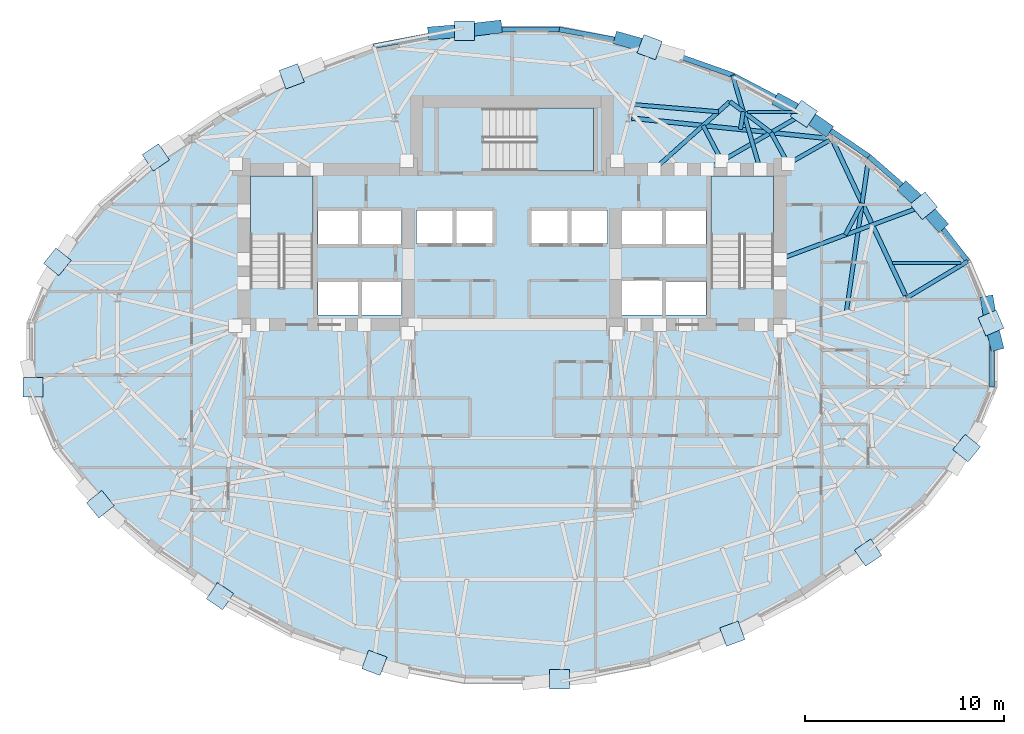
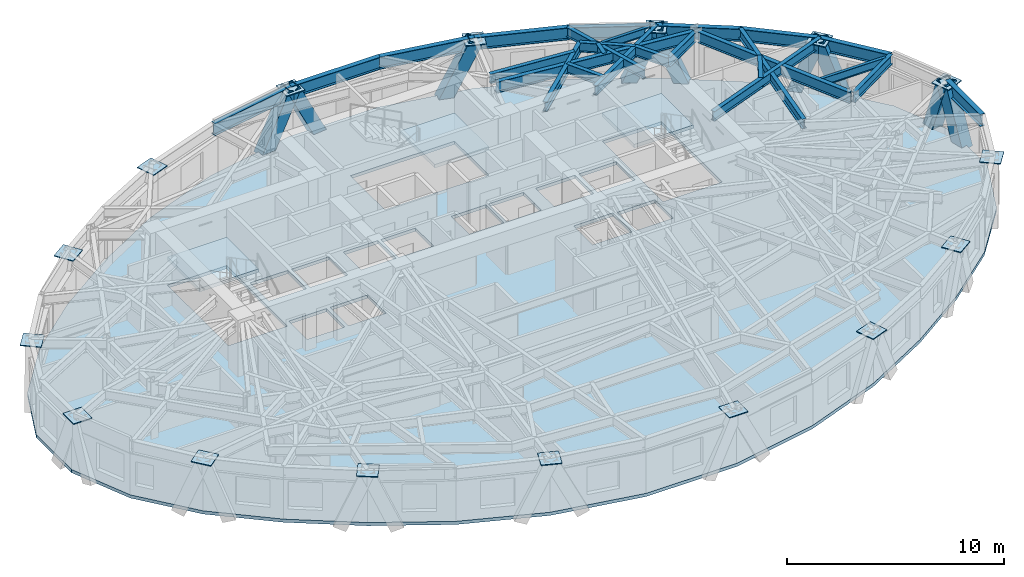
# One storey, part 4 of 14: 26 beams, 16 plates, 9 members, 4 slabs, 3 elements without a shape of their own.
"""IFC4 building model written with IfcOpenShell, lengths in metres."""

from ifc_helpers import new_model, si_unit, direction, frame, origin, origin_2d, place, context, subcontext, project, spatial, polyline, rectangle, hollow_rectangle, i_section, outline, extrude, material, layer, layer_set, material_profile, profile_set, type_object, element, aggregate, save


model = new_model("IFC4")

# Units and contexts
model_context = context("Model", 3, precision=1e-05, world=origin(), true_north=direction((0.0, 1.0)))
body_context = subcontext(model_context, "Body", "Model", "MODEL_VIEW")
ifc_project = project(units=[si_unit("LENGTHUNIT", "METRE"), si_unit("AREAUNIT", "SQUARE_METRE"), si_unit("VOLUMEUNIT", "CUBIC_METRE"), si_unit("PLANEANGLEUNIT", "RADIAN"), si_unit("MASSUNIT", "GRAM", prefix="KILO")], contexts=[model_context])

# Site, building, storey
site_placement = place(None, origin())
site = spatial("IfcSite", under=ifc_project, at=site_placement, CompositionType="ELEMENT")
building_placement = place(site_placement, origin())
building = spatial("IfcBuilding", under=site, at=building_placement, Name="Keldmark Tower", CompositionType="ELEMENT")
storey_placement = place(building_placement, frame((0.0, 0.0, 191.800048828125)))
storey = spatial("IfcBuildingStorey", under=building, at=storey_placement, Name="L53", CompositionType="ELEMENT", Elevation=191.800048828125)

# Beams
ifc_material_1 = material(Name="Steel ASTM A992 Grade 50", Category="steel")
ifc_material_profile_1 = material_profile(ifc_material_1, i_section(OverallWidth=0.153076171875, OverallDepth=0.455078125, WebThickness=0.008056640625, FlangeThickness=0.01318359375, at=origin_2d()), Name="W18X40")
ifc_profile_set_1 = profile_set([ifc_material_profile_1], Name="Steel ASTM A992 Grade 50")
beam_type_1 = type_object("IfcBeamType", Name="Composite Floor Joist W18X40", PredefinedType="JOIST", material=ifc_profile_set_1)
beam_1_placement = place(storey_placement, frame((19.12451171875, 4.6201171875, 2.79248046875), z_axis=(1.0, 0.0, 0.0), x_axis=(0.0, 1.0, 0.0)))
element("IfcBeam", 1, at=beam_1_placement, inside=storey, type_object=beam_type_1, Name="L53 Composite Floor Joist J05", PredefinedType="JOIST", context=body_context, shape_type="SweptSolid", body=[
    extrude(i_section(OverallWidth=0.153076171875, OverallDepth=0.455078125, WebThickness=0.008056640625, FlangeThickness=0.01318359375, at=origin_2d()), origin(), (0.0, 0.0, 1.0), 3.4326171875),
])
beam_2_placement = place(storey_placement, frame((11.822265625, 12.199951171875, 2.79248046875), z_axis=(1.0, 0.0, 0.0), x_axis=(0.0, 1.0, 0.0)))
element("IfcBeam", 2, at=beam_2_placement, inside=storey, type_object=beam_type_1, Name="L53 Composite Floor Joist J06", PredefinedType="JOIST", context=body_context, shape_type="SweptSolid", body=[
    extrude(i_section(OverallWidth=0.153076171875, OverallDepth=0.455078125, WebThickness=0.008056640625, FlangeThickness=0.01318359375, at=origin_2d()), origin(), (0.0, 0.0, 1.0), 2.556396484375),
])

# Members
ifc_material_2 = material(Name="Steel ASTM A572 Grade 50", Category="steel")
ifc_material_profile_2 = material_profile(ifc_material_2, hollow_rectangle(XDim=0.64990234375, YDim=0.64990234375, WallThickness=0.0400390625, at=origin_2d()), Name="BOX650X650X40")
ifc_profile_set_2 = profile_set([ifc_material_profile_2], Name="Steel ASTM A572 Grade 50")
member_type = type_object("IfcMemberType", Name="Diagrid Zone 3 Brace BOX650X650X40", PredefinedType="BRACE", material=ifc_profile_set_2)
member_1_placement = place(storey_placement, frame((23.89208984375, 2.661376953125, -0.260009765625), z_axis=(0.053051141963, -0.316550676045, 0.947090938523), x_axis=(0.986245645228, 0.165286198056, 0.0)))
element("IfcMember", 3, at=member_1_placement, inside=storey, type_object=member_type, Name="L53 Perimeter Diagrid Brace 01A", PredefinedType="BRACE", context=body_context, shape_type="SweptSolid", body=[
    extrude(hollow_rectangle(XDim=0.64990234375, YDim=0.64990234375, WallThickness=0.0400390625, at=origin_2d()), origin(), (0.0, 0.0, 1.0), 3.33642578125),
])
member_2_placement = place(storey_placement, frame((21.50048828125, 6.589599609375, -0.260009765625), z_axis=(-0.240557244368, 0.268518961209, 0.932753868742), x_axis=(-0.744822917128, -0.667262183943, 0.0)))
element("IfcMember", 4, at=member_2_placement, inside=storey, type_object=member_type, Name="L53 Perimeter Diagrid Brace 01B", PredefinedType="BRACE", context=body_context, shape_type="SweptSolid", body=[
    extrude(hollow_rectangle(XDim=0.64990234375, YDim=0.64990234375, WallThickness=0.0400390625, at=origin_2d()), origin(), (0.0, 0.0, 1.0), 3.3876953125),
])
member_3_placement = place(storey_placement, frame((19.789306640625, 8.32080078125, -0.260009765625), z_axis=(0.265706617393, -0.245611158935, 0.932242002959), x_axis=(0.678792531533, 0.734330102294, 0.0)))
element("IfcMember", 5, at=member_3_placement, inside=storey, type_object=member_type, Name="L53 Perimeter Diagrid Brace 02A", PredefinedType="BRACE", context=body_context, shape_type="SweptSolid", body=[
    extrude(hollow_rectangle(XDim=0.64990234375, YDim=0.64990234375, WallThickness=0.0400390625, at=origin_2d()), origin(), (0.0, 0.0, 1.0), 3.3896484375),
])
member_4_placement = place(storey_placement, frame((15.731689453125, 11.384765625, -0.260009765625), z_axis=(-0.310368763218, 0.215734544795, 0.925813068065), x_axis=(-0.570753945784, -0.821121144151, 0.0)))
element("IfcMember", 6, at=member_4_placement, inside=storey, type_object=member_type, Name="L53 Perimeter Diagrid Brace 02B", PredefinedType="BRACE", context=body_context, shape_type="SweptSolid", body=[
    extrude(hollow_rectangle(XDim=0.64990234375, YDim=0.64990234375, WallThickness=0.0400390625, at=origin_2d()), origin(), (0.0, 0.0, 1.0), 3.4130859375),
])
member_5_placement = place(storey_placement, frame((13.472900390625, 12.754150390625, -0.260009765625), z_axis=(0.350775920859, -0.186272153648, 0.917746663367), x_axis=(0.4690029299, 0.883196609903, 0.0)))
element("IfcMember", 7, at=member_5_placement, inside=storey, type_object=member_type, Name="L53 Perimeter Diagrid Brace 03A", PredefinedType="BRACE", context=body_context, shape_type="SweptSolid", body=[
    extrude(hollow_rectangle(XDim=0.64990234375, YDim=0.64990234375, WallThickness=0.0400390625, at=origin_2d()), origin(), (0.0, 0.0, 1.0), 3.443115234375),
])
member_6_placement = place(storey_placement, frame((5.448486328125, 15.881103515625, -0.260009765625), z_axis=(0.421112234507, -0.118253262355, 0.899266730115), x_axis=(0.270354550986, 0.962760830508, 0.0)))
element("IfcMember", 8, at=member_6_placement, inside=storey, type_object=member_type, Name="L53 Perimeter Diagrid Brace 04A", PredefinedType="BRACE", context=body_context, shape_type="SweptSolid", body=[
    extrude(hollow_rectangle(XDim=0.64990234375, YDim=0.64990234375, WallThickness=0.0400390625, at=origin_2d()), origin(), (0.0, 0.0, 1.0), 3.513916015625),
])
member_7_placement = place(storey_placement, frame((-0.806884765625, 16.477783203125, -0.260009765625), z_axis=(-0.445616427688, -0.050686883298, 0.893787916251), x_axis=(0.113016785958, -0.993593078726, 0.0)))
element("IfcMember", 9, at=member_7_placement, inside=storey, type_object=member_type, Name="L53 Perimeter Diagrid Brace 04B", PredefinedType="BRACE", context=body_context, shape_type="SweptSolid", body=[
    extrude(hollow_rectangle(XDim=0.64990234375, YDim=0.64990234375, WallThickness=0.0400390625, at=origin_2d()), origin(), (0.0, 0.0, 1.0), 3.535400390625),
])
member_8_placement = place(storey_placement, frame((-3.928466796875, 16.17822265625, -0.260009765625), z_axis=(0.44193156866, 0.034143905869, 0.896398729536), x_axis=(-0.077031052533, 0.997028694144, 0.0)))
element("IfcMember", 10, at=member_8_placement, inside=storey, type_object=member_type, Name="L53 Perimeter Diagrid Brace 05A", PredefinedType="BRACE", context=body_context, shape_type="SweptSolid", body=[
    extrude(hollow_rectangle(XDim=0.64990234375, YDim=0.64990234375, WallThickness=0.0400390625, at=origin_2d()), origin(), (0.0, 0.0, 1.0), 3.525146484375),
])
member_9_placement = place(storey_placement, frame((24.333984375, 0.548828125, -0.260009765625), z_axis=(-0.079163798339, 0.319281826298, 0.944347504062), x_axis=(-0.970610381565, -0.240656367458, 0.0)))
element("IfcMember", 11, at=member_9_placement, inside=storey, type_object=member_type, Name="L53 Perimeter Diagrid Brace 16B", PredefinedType="BRACE", context=body_context, shape_type="SweptSolid", body=[
    extrude(hollow_rectangle(XDim=0.64990234375, YDim=0.64990234375, WallThickness=0.0400390625, at=origin_2d()), origin(), (0.0, 0.0, 1.0), 3.34619140625),
])

# Beams
ifc_material_3 = material(Name="Steel ASTM A992 Grade 50", Category="steel")
ifc_material_profile_3 = material_profile(ifc_material_3, i_section(OverallWidth=0.22900390625, OverallDepth=0.612060546875, WebThickness=0.011962890625, FlangeThickness=0.01953125, at=origin_2d()), Name="W24X84")
ifc_profile_set_3 = profile_set([ifc_material_profile_3], Name="Steel ASTM A992 Grade 50")
beam_type_2 = type_object("IfcBeamType", Name="Primary Floor Girder W24X84", PredefinedType="BEAM", material=ifc_profile_set_3)
beam_3_placement = place(storey_placement, frame((19.76904296875, 2.99609375, 2.7138671875), z_axis=(-0.424526823774, 0.905415360979, 0.0), x_axis=(-0.905415360979, -0.424526823774, 0.0)))
element("IfcBeam", 12, at=beam_3_placement, inside=storey, type_object=beam_type_2, Name="L53 Floor Ring Girder FG-R01", PredefinedType="BEAM", context=body_context, shape_type="SweptSolid", body=[
    extrude(i_section(OverallWidth=0.22900390625, OverallDepth=0.612060546875, WebThickness=0.011962890625, FlangeThickness=0.01953125, at=origin_2d()), origin(), (0.0, 0.0, 1.0), 8.54638671875),
])
beam_4_placement = place(storey_placement, frame((15.942138671875, 10.87548828125, 2.7138671875), z_axis=(-0.994702930931, 0.102791435423, 0.0), x_axis=(-0.102791435423, -0.994702930931, 0.0)))
element("IfcBeam", 13, at=beam_4_placement, inside=storey, type_object=beam_type_2, Name="L53 Floor Ring Girder FG-R02", PredefinedType="BEAM", context=body_context, shape_type="SweptSolid", body=[
    extrude(i_section(OverallWidth=0.22900390625, OverallDepth=0.612060546875, WebThickness=0.011962890625, FlangeThickness=0.01953125, at=origin_2d()), origin(), (0.0, 0.0, 1.0), 9.975341796875),
])
ifc_material_4 = material(Name="Steel ASTM A992 Grade 50", Category="steel")
ifc_material_profile_4 = material_profile(ifc_material_4, i_section(OverallWidth=0.2099609375, OverallDepth=0.537109375, WebThickness=0.010986328125, FlangeThickness=0.017333984375, at=origin_2d()), Name="W21X68")
ifc_profile_set_4 = profile_set([ifc_material_profile_4], Name="Steel ASTM A992 Grade 50")
beam_type_3 = type_object("IfcBeamType", Name="Radial Tie Girder W21X68", PredefinedType="BEAM", material=ifc_profile_set_4)
beam_5_placement = place(storey_placement, frame((15.959716796875, 10.791748046875, 2.75146484375), z_axis=(-0.86929527307, -0.494293160197, 0.0), x_axis=(0.494293160197, -0.86929527307, 0.0)))
element("IfcBeam", 14, at=beam_5_placement, inside=storey, type_object=beam_type_3, Name="L53 Floor Radial Girder FG-C02", PredefinedType="BEAM", context=body_context, shape_type="SweptSolid", body=[
    extrude(i_section(OverallWidth=0.2099609375, OverallDepth=0.537109375, WebThickness=0.010986328125, FlangeThickness=0.017333984375, at=origin_2d()), origin(), (0.0, 0.0, 1.0), 2.39453125),
])
beam_6_placement = place(storey_placement, frame((19.828369140625, 2.869140625, 2.75146484375), z_axis=(0.857649450722, 0.514234790418, 0.0), x_axis=(-0.514234790418, 0.857649450722, 0.0)))
element("IfcBeam", 15, at=beam_6_placement, inside=storey, type_object=beam_type_3, Name="L53 Perimeter Column Bracket RT-02", PredefinedType="BEAM", context=body_context, shape_type="SweptSolid", body=[
    extrude(i_section(OverallWidth=0.2099609375, OverallDepth=0.537109375, WebThickness=0.010986328125, FlangeThickness=0.017333984375, at=origin_2d()), origin(), (0.0, 0.0, 1.0), 3.577392578125),
])
beam_7_placement = place(storey_placement, frame((13.47509765625, 4.8212890625, 2.75146484375), z_axis=(0.937600504233, 0.347714386332, 0.0), x_axis=(-0.347714386332, 0.937600504233, 0.0)))
element("IfcBeam", 16, at=beam_7_placement, inside=storey, type_object=beam_type_3, Name="L53 Perimeter Radial Tie Girder RT-03", PredefinedType="BEAM", context=body_context, shape_type="SweptSolid", body=[
    extrude(i_section(OverallWidth=0.2099609375, OverallDepth=0.537109375, WebThickness=0.010986328125, FlangeThickness=0.017333984375, at=origin_2d()), origin(), (0.0, 0.0, 1.0), 7.75146484375),
])
beam_8_placement = place(storey_placement, frame((16.74560546875, 6.0341796875, 2.75146484375), z_axis=(0.469355724758, 0.883009175285, 0.0), x_axis=(-0.883009175285, 0.469355724758, 0.0)))
element("IfcBeam", 17, at=beam_8_placement, inside=storey, type_object=beam_type_3, Name="L53 Framing Pin Header PH-013", PredefinedType="BEAM", context=body_context, shape_type="SweptSolid", body=[
    extrude(i_section(OverallWidth=0.2099609375, OverallDepth=0.537109375, WebThickness=0.010986328125, FlangeThickness=0.017333984375, at=origin_2d()), origin(), (0.0, 0.0, 1.0), 1.81005859375),
])
beam_9_placement = place(storey_placement, frame((16.8017578125, 2.1552734375, 2.75146484375), z_axis=(0.143332188558, 0.989674635283, 0.0), x_axis=(-0.989674635283, 0.143332188558, 0.0)))
element("IfcBeam", 18, at=beam_9_placement, inside=storey, type_object=beam_type_3, Name="L53 Perimeter Radial Tie Girder RT-04", PredefinedType="BEAM", context=body_context, shape_type="SweptSolid", body=[
    extrude(i_section(OverallWidth=0.2099609375, OverallDepth=0.537109375, WebThickness=0.010986328125, FlangeThickness=0.017333984375, at=origin_2d()), origin(), (0.0, 0.0, 1.0), 7.905029296875),
])
beam_10_placement = place(storey_placement, frame((13.878173828125, 9.608154296875, 2.75146484375), z_axis=(-0.481086224984, 0.876673282432, 0.0), x_axis=(-0.876673282432, -0.481086224984, 0.0)))
element("IfcBeam", 19, at=beam_10_placement, inside=storey, type_object=beam_type_3, Name="L53 Framing Pin Header PH-014", PredefinedType="BEAM", context=body_context, shape_type="SweptSolid", body=[
    extrude(i_section(OverallWidth=0.2099609375, OverallDepth=0.537109375, WebThickness=0.010986328125, FlangeThickness=0.017333984375, at=origin_2d()), origin(), (0.0, 0.0, 1.0), 1.790283203125),
])
beam_11_placement = place(storey_placement, frame((9.8037109375, 9.324951171875, 2.75146484375), z_axis=(0.86629015843, 0.499541150865, 0.0), x_axis=(-0.499541150865, 0.86629015843, 0.0)))
element("IfcBeam", 20, at=beam_11_placement, inside=storey, type_object=beam_type_3, Name="L53 Perimeter Radial Tie Girder RT-05", PredefinedType="BEAM", context=body_context, shape_type="SweptSolid", body=[
    extrude(i_section(OverallWidth=0.2099609375, OverallDepth=0.537109375, WebThickness=0.010986328125, FlangeThickness=0.017333984375, at=origin_2d()), origin(), (0.0, 0.0, 1.0), 5.673583984375),
])
beam_12_placement = place(storey_placement, frame((10.541015625, 9.75, 2.75146484375), z_axis=(-0.465516343463, 0.885039283856, 0.0), x_axis=(-0.885039283856, -0.465516343463, 0.0)))
element("IfcBeam", 21, at=beam_12_placement, inside=storey, type_object=beam_type_3, Name="L53 Framing Pin Header PH-015", PredefinedType="BEAM", context=body_context, shape_type="SweptSolid", body=[
    extrude(i_section(OverallWidth=0.2099609375, OverallDepth=0.537109375, WebThickness=0.010986328125, FlangeThickness=0.017333984375, at=origin_2d()), origin(), (0.0, 0.0, 1.0), 2.01171875),
])
beam_13_placement = place(storey_placement, frame((7.139404296875, 9.324951171875, 2.75146484375), z_axis=(0.745266289399, 0.666766944206, 0.0), x_axis=(-0.666766944206, 0.745266289399, 0.0)))
element("IfcBeam", 22, at=beam_13_placement, inside=storey, type_object=beam_type_3, Name="L53 Intermediate Radial Step Girder RT-06M", PredefinedType="BEAM", context=body_context, shape_type="SweptSolid", body=[
    extrude(i_section(OverallWidth=0.2099609375, OverallDepth=0.537109375, WebThickness=0.010986328125, FlangeThickness=0.017333984375, at=origin_2d()), origin(), (0.0, 0.0, 1.0), 5.113037109375),
])
beam_14_placement = place(storey_placement, frame((13.016845703125, 11.177734375, 2.75146484375), z_axis=(-0.798843563316, 0.601538827798, 0.0), x_axis=(-0.601538827798, -0.798843563316, 0.0)))
element("IfcBeam", 23, at=beam_14_placement, inside=storey, type_object=beam_type_3, Name="L53 Local Collector Chord RT-06C", PredefinedType="BEAM", context=body_context, shape_type="SweptSolid", body=[
    extrude(i_section(OverallWidth=0.2099609375, OverallDepth=0.537109375, WebThickness=0.010986328125, FlangeThickness=0.017333984375, at=origin_2d()), origin(), (0.0, 0.0, 1.0), 2.58740234375),
])
beam_15_placement = place(storey_placement, frame((11.47705078125, 11.3369140625, 2.75146484375), z_axis=(0.1603203416, 0.987065037406, 0.0), x_axis=(-0.987065037406, 0.1603203416, 0.0)))
element("IfcBeam", 24, at=beam_15_placement, inside=storey, type_object=beam_type_3, Name="L53 Framing Pin Header PH-016", PredefinedType="BEAM", context=body_context, shape_type="SweptSolid", body=[
    extrude(i_section(OverallWidth=0.2099609375, OverallDepth=0.537109375, WebThickness=0.010986328125, FlangeThickness=0.017333984375, at=origin_2d()), origin(), (0.0, 0.0, 1.0), 0.903076171875),
])
beam_16_placement = place(storey_placement, frame((12.468017578125, 9.324951171875, 2.75146484375), z_axis=(-0.279768222049, 0.960067571545, 0.0), x_axis=(-0.960067571545, -0.279768222049, 0.0)))
element("IfcBeam", 25, at=beam_16_placement, inside=storey, type_object=beam_type_3, Name="L53 Perimeter Radial Tie Girder RT-06", PredefinedType="BEAM", context=body_context, shape_type="SweptSolid", body=[
    extrude(i_section(OverallWidth=0.2099609375, OverallDepth=0.537109375, WebThickness=0.010986328125, FlangeThickness=0.017333984375, at=origin_2d()), origin(), (0.0, 0.0, 1.0), 4.934814453125),
])
beam_17_placement = place(storey_placement, frame((10.37841796875, 12.222900390625, 2.75146484375), z_axis=(-0.996494070669, 0.083663415674, 0.0), x_axis=(-0.083663415674, -0.996494070669, 0.0)))
element("IfcBeam", 26, at=beam_17_placement, inside=storey, type_object=beam_type_3, Name="L53 Framing Pin Header PH-033", PredefinedType="BEAM", context=body_context, shape_type="SweptSolid", body=[
    extrude(i_section(OverallWidth=0.2099609375, OverallDepth=0.537109375, WebThickness=0.010986328125, FlangeThickness=0.017333984375, at=origin_2d()), origin(), (0.0, 0.0, 1.0), 4.31591796875),
])
ifc_material_5 = material(Name="Steel ASTM A992 Grade 50", Category="steel")
ifc_material_profile_5 = material_profile(ifc_material_5, i_section(OverallWidth=0.256103515625, OverallDepth=0.693115234375, WebThickness=0.014404296875, FlangeThickness=0.023681640625, at=origin_2d()), Name="W27X114")
ifc_profile_set_5 = profile_set([ifc_material_profile_5], Name="Steel ASTM A992 Grade 50")
beam_type_4 = type_object("IfcBeamType", Name="Spandrel Ring Beam W27X114", PredefinedType="SPANDREL", material=ifc_profile_set_5)
beam_18_placement = place(storey_placement, frame((22.896484375, 4.708740234375, 2.67333984375), z_axis=(-0.608586512644, 0.793487527708, 0.0), x_axis=(-0.793487527708, -0.608586512644, 0.0)))
element("IfcBeam", 27, at=beam_18_placement, inside=storey, type_object=beam_type_4, Name="L53 Perimeter Spandrel Ring Beam SRB-02", PredefinedType="SPANDREL", context=body_context, shape_type="SweptSolid", body=[
    extrude(i_section(OverallWidth=0.256103515625, OverallDepth=0.693115234375, WebThickness=0.014404296875, FlangeThickness=0.023681640625, at=origin_2d()), origin(), (0.0, 0.0, 1.0), 3.53857421875),
])
beam_19_placement = place(storey_placement, frame((20.742919921875, 7.5166015625, 2.67333984375), z_axis=(-0.751904074321, 0.659272525607, 0.0), x_axis=(-0.659272525607, -0.751904074321, 0.0)))
element("IfcBeam", 28, at=beam_19_placement, inside=storey, type_object=beam_type_4, Name="L53 Perimeter Spandrel Ring Beam SRB-03", PredefinedType="SPANDREL", context=body_context, shape_type="SweptSolid", body=[
    extrude(i_section(OverallWidth=0.256103515625, OverallDepth=0.693115234375, WebThickness=0.014404296875, FlangeThickness=0.023681640625, at=origin_2d()), origin(), (0.0, 0.0, 1.0), 3.734619140625),
])
beam_20_placement = place(storey_placement, frame((17.934814453125, 9.978759765625, 2.67333984375), z_axis=(-0.827704046296, 0.561164870377, 0.0), x_axis=(-0.561164870377, -0.827704046296, 0.0)))
element("IfcBeam", 29, at=beam_20_placement, inside=storey, type_object=beam_type_4, Name="L53 Perimeter Spandrel Ring Beam SRB-04", PredefinedType="SPANDREL", context=body_context, shape_type="SweptSolid", body=[
    extrude(i_section(OverallWidth=0.256103515625, OverallDepth=0.693115234375, WebThickness=0.014404296875, FlangeThickness=0.023681640625, at=origin_2d()), origin(), (0.0, 0.0, 1.0), 3.885498046875),
])
beam_21_placement = place(storey_placement, frame((14.71875, 12.1591796875, 2.67333984375), z_axis=(-0.885688137447, 0.464280651316, 0.0), x_axis=(-0.464280651316, -0.885688137447, 0.0)))
element("IfcBeam", 30, at=beam_21_placement, inside=storey, type_object=beam_type_4, Name="L53 Perimeter Spandrel Ring Beam SRB-05", PredefinedType="SPANDREL", context=body_context, shape_type="SweptSolid", body=[
    extrude(i_section(OverallWidth=0.256103515625, OverallDepth=0.693115234375, WebThickness=0.014404296875, FlangeThickness=0.023681640625, at=origin_2d()), origin(), (0.0, 0.0, 1.0), 4.10009765625),
])
beam_22_placement = place(storey_placement, frame((11.08740234375, 14.062744140625, 2.67333984375), z_axis=(-0.943106248319, 0.332491510239, 0.0), x_axis=(-0.332491510239, -0.943106248319, 0.0)))
element("IfcBeam", 31, at=beam_22_placement, inside=storey, type_object=beam_type_4, Name="L53 Perimeter Spandrel Ring Beam SRB-06", PredefinedType="SPANDREL", context=body_context, shape_type="SweptSolid", body=[
    extrude(i_section(OverallWidth=0.256103515625, OverallDepth=0.693115234375, WebThickness=0.014404296875, FlangeThickness=0.023681640625, at=origin_2d()), origin(), (0.0, 0.0, 1.0), 4.3916015625),
])
beam_23_placement = place(storey_placement, frame((6.945556640625, 15.52294921875, 2.67333984375), z_axis=(-0.983691132349, 0.179865939348, 0.0), x_axis=(-0.179865939348, -0.983691132349, 0.0)))
element("IfcBeam", 32, at=beam_23_placement, inside=storey, type_object=beam_type_4, Name="L53 Perimeter Spandrel Ring Beam SRB-07", PredefinedType="SPANDREL", context=body_context, shape_type="SweptSolid", body=[
    extrude(i_section(OverallWidth=0.256103515625, OverallDepth=0.693115234375, WebThickness=0.014404296875, FlangeThickness=0.023681640625, at=origin_2d()), origin(), (0.0, 0.0, 1.0), 4.644775390625),
])
beam_24_placement = place(storey_placement, frame((2.37646484375, 16.3583984375, 2.67333984375), z_axis=(-1.0, 0.0, 0.0), x_axis=(0.0, -1.0, 0.0)))
element("IfcBeam", 33, at=beam_24_placement, inside=storey, type_object=beam_type_4, Name="L53 Perimeter Spandrel Ring Beam SRB-08", PredefinedType="SPANDREL", context=body_context, shape_type="SweptSolid", body=[
    extrude(i_section(OverallWidth=0.256103515625, OverallDepth=0.693115234375, WebThickness=0.014404296875, FlangeThickness=0.023681640625, at=origin_2d()), origin(), (0.0, 0.0, 1.0), 4.7529296875),
])
beam_25_placement = place(storey_placement, frame((-2.37646484375, 16.3583984375, 2.67333984375), z_axis=(-0.983691132349, -0.179865939348, 0.0), x_axis=(0.179865939348, -0.983691132349, 0.0)))
element("IfcBeam", 34, at=beam_25_placement, inside=storey, type_object=beam_type_4, Name="L53 Perimeter Spandrel Ring Beam SRB-09", PredefinedType="SPANDREL", context=body_context, shape_type="SweptSolid", body=[
    extrude(i_section(OverallWidth=0.256103515625, OverallDepth=0.693115234375, WebThickness=0.014404296875, FlangeThickness=0.023681640625, at=origin_2d()), origin(), (0.0, 0.0, 1.0), 4.644775390625),
])
beam_26_placement = place(storey_placement, frame((24.12890625, -1.611083984375, 2.67333984375), z_axis=(0.0, 1.0, 0.0), x_axis=(-1.0, 0.0, 0.0)))
element("IfcBeam", 35, at=beam_26_placement, inside=storey, type_object=beam_type_4, Name="L53 Perimeter Spandrel Ring Beam SRB-32", PredefinedType="SPANDREL", context=body_context, shape_type="SweptSolid", body=[
    extrude(i_section(OverallWidth=0.256103515625, OverallDepth=0.693115234375, WebThickness=0.014404296875, FlangeThickness=0.023681640625, at=origin_2d()), origin(), (0.0, 0.0, 1.0), 3.22216796875),
])

# Plates
ifc_material_6 = material(Name="Steel ASTM A572 Grade 50", Category="steel")
ifc_layer_1 = layer(ifc_material_6, 0.044921875)
ifc_layer_set_1 = layer_set([ifc_layer_1], Name="Steel ASTM A572 Grade 50")
plate_type = type_object("IfcPlateType", Name="Diagrid Node Assembly DN04 45 mm", PredefinedType="USERDEFINED", material=ifc_layer_set_1)
for number, where, z_axis, x_axis, name in (
    (36, (24.069091796875, 1.605224609375, 2.87744140625), (0.0, 0.0, 1.0), (-0.391534271632, 0.920163525759, 0.0), "L53 Diagrid Node Assembly 01"),
    (37, (20.685546875, 7.499267578125, 2.87744140625), (0.0, 0.0, 1.0), (-0.629727217439, 0.776816343556, 0.0), "L53 Diagrid Node Assembly 02"),
    (38, (14.67236328125, 12.12109375, 2.87744140625), (0.0, 0.0, 1.0), (-0.827668733006, 0.561216953062, 0.0), "L53 Diagrid Node Assembly 04"),
    (39, (6.917236328125, 15.469970703125, 2.87744140625), (0.0, 0.0, 1.0), (-0.937099349122, 0.34906275922, 0.0), "L53 Diagrid Node Assembly 06"),
    (40, (-2.38232421875, 16.298583984375, 2.87744140625), (0.0, 0.0, 1.0), (-1.0, 0.0, 0.0), "L53 Diagrid Node Assembly 08"),
    (41, (-11.06982421875, 14.00537109375, 2.87744140625), (0.0, 0.0, 1.0), (-0.937099349122, -0.34906275922, 0.0), "L53 Diagrid Node Assembly 10"),
    (42, (-17.896728515625, 9.932373046875, 2.87744140625), (0.0, 0.0, 1.0), (-0.827668733006, -0.561216953062, 0.0), "L53 Diagrid Node Assembly 12"),
    (43, (-22.84375, 4.680419921875, 2.87744140625), (0.0, 0.0, 1.0), (-0.629727217439, -0.776816343556, 0.0), "L53 Diagrid Node Assembly 14"),
    (44, (-24.069091796875, -1.6171875, 2.87744140625), (0.0, 0.0, 1.0), (0.0, -1.0, 0.0), "L53 Diagrid Node Assembly 16"),
    (45, (-20.685546875, -7.499267578125, 2.87744140625), (0.0, 0.0, 1.0), (0.629727217439, -0.776816343556, 0.0), "L53 Diagrid Node Assembly 18"),
    (46, (-14.67236328125, -12.12109375, 2.87744140625), (0.0, 0.0, 1.0), (0.827668733006, -0.561216953062, 0.0), "L53 Diagrid Node Assembly 20"),
    (47, (-6.917236328125, -15.469970703125, 2.87744140625), (0.0, 0.0, 1.0), (0.937099349122, -0.34906275922, 0.0), "L53 Diagrid Node Assembly 22"),
    (48, (2.38232421875, -16.298583984375, 2.87744140625), (0.0, 0.0, 1.0), (1.0, 0.0, 0.0), "L53 Diagrid Node Assembly 24"),
    (49, (11.06982421875, -14.00537109375, 2.87744140625), (0.0, 0.0, 1.0), (0.937099349122, 0.34906275922, 0.0), "L53 Diagrid Node Assembly 26"),
    (50, (17.896728515625, -9.932373046875, 2.87744140625), (0.0, 0.0, 1.0), (0.827668733006, 0.561216953062, 0.0), "L53 Diagrid Node Assembly 28"),
    (51, (22.84375, -4.680419921875, 2.87744140625), (0.0, 0.0, 1.0), (0.629727217439, 0.776816343556, 0.0), "L53 Diagrid Node Assembly 30"),
):
    element("IfcPlate", number, at=place(storey_placement, frame(where, z_axis=z_axis, x_axis=x_axis)), inside=storey, type_object=plate_type, Name=name, ObjectType="GUSSET", PredefinedType="USERDEFINED", context=body_context, shape_type="SweptSolid", body=[
        extrude(rectangle(XDim=0.989990234375, YDim=0.989990234375, at=origin_2d()), origin(), (0.0, 0.0, 1.0), 0.044921875),
    ])

# Slab
ifc_material_7 = material(Name="Concrete C35/45", Category="concrete")
ifc_layer_2 = layer(ifc_material_7, 0.179931640625)
ifc_layer_set_2 = layer_set([ifc_layer_2], Name="Concrete C35/45")
slab_type_1 = type_object("IfcSlabType", Name="Hotel and Residential Slab 180 mm", PredefinedType="FLOOR", material=ifc_layer_set_2)
slab_1_placement = place(storey_placement, frame((0.0, 0.0, -0.179931640625)))
element("IfcSlab", 52, at=slab_1_placement, inside=storey, type_object=slab_type_1, Name="L53 Composite Structural Floor Slab", PredefinedType="FLOOR", context=body_context, shape_type="SweptSolid", body=[
    extrude(outline(polyline([(24.3935546875, 1.62890625), (23.068115234375, 4.743896484375), (20.802978515625, 7.538330078125), (17.92041015625, 9.970458984375), (14.706787109375, 12.149169921875), (11.119384765625, 14.103271484375), (6.99755859375, 15.638916015625), (2.402587890625, 16.53759765625), (-2.402587890625, 16.53759765625), (-6.99755859375, 15.638916015625), (-11.119384765625, 14.103271484375), (-14.706787109375, 12.149169921875), (-17.92041015625, 9.970458984375), (-20.802978515625, 7.538330078125), (-23.068115234375, 4.743896484375), (-24.3935546875, 1.62890625), (-24.3935546875, -1.62890625), (-23.068115234375, -4.743896484375), (-20.802978515625, -7.538330078125), (-17.92041015625, -9.970458984375), (-14.706787109375, -12.149169921875), (-11.119384765625, -14.103271484375), (-6.99755859375, -15.638916015625), (-2.402587890625, -16.53759765625), (2.402587890625, -16.53759765625), (6.99755859375, -15.638916015625), (11.119384765625, -14.103271484375), (14.706787109375, -12.149169921875), (17.92041015625, -9.970458984375), (20.802978515625, -7.538330078125), (23.068115234375, -4.743896484375), (24.3935546875, -1.62890625), (24.3935546875, 1.62890625)]), holes=[polyline([(-10.0, 3.385009765625), (-10.0, 9.0), (-13.14990234375, 9.0), (-13.14990234375, 3.385009765625), (-10.0, 3.385009765625)]), polyline([(13.14990234375, 3.385009765625), (13.14990234375, 9.0), (10.0, 9.0), (10.0, 3.385009765625), (13.14990234375, 3.385009765625)]), polyline([(-1.43994140625, 9.25), (4.10498046875, 9.25), (4.10498046875, 12.39990234375), (-1.43994140625, 12.39990234375), (-1.43994140625, 9.25)]), polyline([(-9.75, 2.0), (-7.75, 2.0), (-7.75, 3.699951171875), (-9.75, 3.699951171875), (-9.75, 2.0)]), polyline([(7.75, 2.0), (9.75, 2.0), (9.75, 3.699951171875), (7.75, 3.699951171875), (7.75, 2.0)]), polyline([(5.449951171875, 2.0), (7.550048828125, 2.0), (7.550048828125, 3.75), (5.449951171875, 3.75), (5.449951171875, 2.0)]), polyline([(-4.800048828125, 5.60009765625), (-2.949951171875, 5.60009765625), (-2.949951171875, 7.25), (-4.800048828125, 7.25), (-4.800048828125, 5.60009765625)]), polyline([(-2.800048828125, 5.60009765625), (-0.949951171875, 5.60009765625), (-0.949951171875, 7.25), (-2.800048828125, 7.25), (-2.800048828125, 5.60009765625)]), polyline([(0.949951171875, 5.60009765625), (2.800048828125, 5.60009765625), (2.800048828125, 7.25), (0.949951171875, 7.25), (0.949951171875, 5.60009765625)]), polyline([(2.949951171875, 5.60009765625), (4.800048828125, 5.60009765625), (4.800048828125, 7.25), (2.949951171875, 7.25), (2.949951171875, 5.60009765625)]), polyline([(-9.75, 5.550048828125), (-7.75, 5.550048828125), (-7.75, 7.25), (-9.75, 7.25), (-9.75, 5.550048828125)]), polyline([(-7.550048828125, 5.550048828125), (-5.550048828125, 5.550048828125), (-5.550048828125, 7.25), (-7.550048828125, 7.25), (-7.550048828125, 5.550048828125)]), polyline([(-7.550048828125, 2.0), (-5.550048828125, 2.0), (-5.550048828125, 3.699951171875), (-7.550048828125, 3.699951171875), (-7.550048828125, 2.0)]), polyline([(5.449951171875, 5.550048828125), (7.550048828125, 5.550048828125), (7.550048828125, 7.25), (5.449951171875, 7.25), (5.449951171875, 5.550048828125)]), polyline([(7.75, 5.550048828125), (9.75, 5.550048828125), (9.75, 7.25), (7.75, 7.25), (7.75, 5.550048828125)])]), origin(), (0.0, 0.0, 1.0), 0.179931640625),
])

# Stair, slab
ifc_material_8 = material(Name="Concrete C40/50", Category="concrete")
stair_type = type_object("IfcStairType", Name="Precast Concrete Core Exit Stair", PredefinedType="HALF_TURN_STAIR", material=ifc_material_8)
stair_1_placement = place(storey_placement, origin())
stair_1 = element("IfcStair", 53, at=stair_1_placement, inside=storey, type_object=stair_type, Name="L53 Exit Stair ST1", PredefinedType="HALF_TURN_STAIR")
ifc_material_9 = material(Name="Concrete C40/50", Category="concrete")
ifc_layer_3 = layer(ifc_material_9, 0.199951171875)
ifc_layer_set_3 = layer_set([ifc_layer_3], Name="Concrete C40/50")
slab_type_2 = type_object("IfcSlabType", Name="Reinforced Concrete Stair Landing 200 mm", PredefinedType="LANDING", material=ifc_layer_set_3)
slab_2_placement = place(storey_placement, frame((0.0, 0.0, 1.39990234375)))
slab_2 = element("IfcSlab", 54, at=slab_2_placement, type_object=slab_type_2, Name="ST1 landing 1", PredefinedType="LANDING", context=body_context, shape_type="SweptSolid", body=[
    extrude(outline(polyline([(-10.0, 6.050048828125), (-10.0, 9.0), (-13.14990234375, 9.0), (-13.14990234375, 6.050048828125), (-10.0, 6.050048828125)])), origin(), (0.0, 0.0, 1.0), 0.199951171875),
])
aggregate(stair_1, [slab_2])

stair_2_placement = place(storey_placement, origin())
stair_2 = element("IfcStair", 55, at=stair_2_placement, inside=storey, type_object=stair_type, Name="L53 Exit Stair ST2", PredefinedType="HALF_TURN_STAIR")
slab_3_placement = place(storey_placement, frame((0.0, 0.0, 1.39990234375)))
slab_3 = element("IfcSlab", 56, at=slab_3_placement, type_object=slab_type_2, Name="ST2 landing 1", PredefinedType="LANDING", context=body_context, shape_type="SweptSolid", body=[
    extrude(outline(polyline([(13.14990234375, 6.050048828125), (13.14990234375, 9.0), (10.0, 9.0), (10.0, 6.050048828125), (13.14990234375, 6.050048828125)])), origin(), (0.0, 0.0, 1.0), 0.199951171875),
])
aggregate(stair_2, [slab_3])

stair_3_placement = place(storey_placement, origin())
stair_3 = element("IfcStair", 57, at=stair_3_placement, inside=storey, type_object=stair_type, Name="L53 Exit Stair ST3", PredefinedType="HALF_TURN_STAIR")
slab_4_placement = place(storey_placement, frame((0.0, 0.0, 1.39990234375)))
slab_4 = element("IfcSlab", 58, at=slab_4_placement, type_object=slab_type_2, Name="ST3 landing 1", PredefinedType="LANDING", context=body_context, shape_type="SweptSolid", body=[
    extrude(outline(polyline([(1.22509765625, 9.25), (4.10498046875, 9.25), (4.10498046875, 12.39990234375), (1.22509765625, 12.39990234375), (1.22509765625, 9.25)])), origin(), (0.0, 0.0, 1.0), 0.199951171875),
])
aggregate(stair_3, [slab_4])

save(model, "model.ifc")
